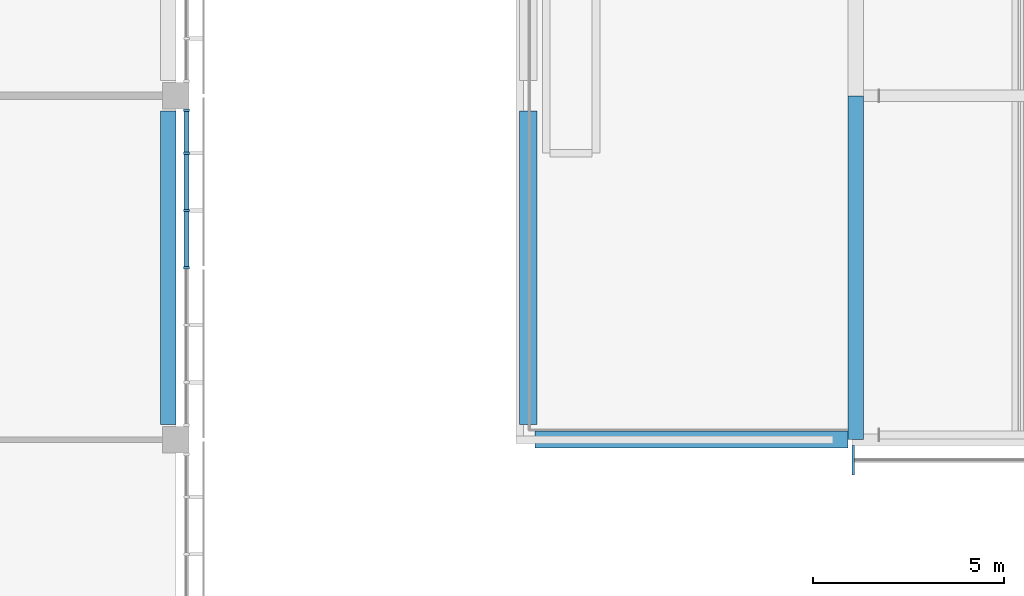
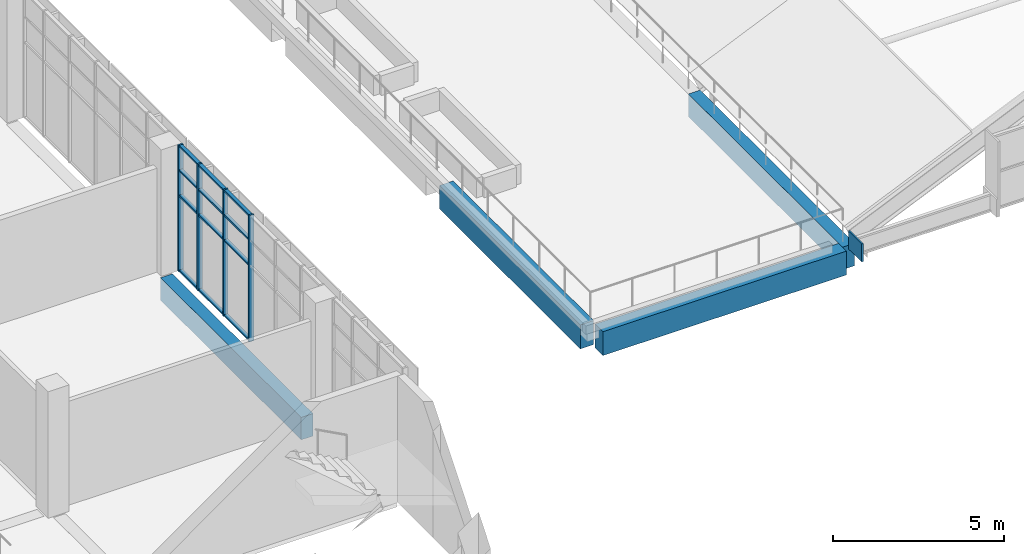
# One storey, part 12 of 106: 17 members, 4 beams, 2 elements without a shape of their own.
"""IFC4 building model written with IfcOpenShell, lengths in metres."""

from ifc_helpers import new_model, si_unit, direction, frame, origin, origin_2d, place, context, subcontext, project, spatial, rectangle, extrude, material, layer, layer_set, material_profile, profile_set, type_object, element, aggregate, save


model = new_model("IFC4")

# Units and contexts
model_context = context("Model", 3, precision=1e-05, world=origin(), true_north=direction((0.0, 1.0)))
body_context = subcontext(model_context, "Body", "Model", "MODEL_VIEW")
ifc_project = project(units=[si_unit("LENGTHUNIT", "METRE"), si_unit("AREAUNIT", "SQUARE_METRE"), si_unit("VOLUMEUNIT", "CUBIC_METRE"), si_unit("PLANEANGLEUNIT", "RADIAN"), si_unit("MASSUNIT", "GRAM", prefix="KILO")], contexts=[model_context])

# Site, building, storey
site_placement = place(None, origin())
site = spatial("IfcSite", under=ifc_project, at=site_placement, CompositionType="ELEMENT")
building_placement = place(site_placement, origin())
building = spatial("IfcBuilding", under=site, at=building_placement, Name="Guidao Yard Department Store", CompositionType="ELEMENT")
storey_placement = place(building_placement, frame((0.0, 0.0, 10.5)))
storey = spatial("IfcBuildingStorey", under=building, at=storey_placement, Name="L02", CompositionType="ELEMENT", Elevation=10.5)

# Beams
ifc_material_1 = material(Name="Concrete C40", Category="concrete")
ifc_material_profile_1 = material_profile(ifc_material_1, rectangle(XDim=0.449951171875, YDim=0.85009765625, at=origin_2d()), Name="Garden roof spandrel beam 450 x 850 C40")
ifc_profile_set_1 = profile_set([ifc_material_profile_1], Name="Concrete C40")
beam_type_1 = type_object("IfcBeamType", Name="Garden roof spandrel beam 450 x 850 C40", PredefinedType="SPANDREL", material=ifc_profile_set_1)
for number, where, z_axis, x_axis, name in (
    (1, (117.39990234375, 54.0, -0.425048828125), (1.0, 0.0, 0.0), (0.0, 1.0, 0.0), "Beam EB85"),
    (2, (117.22509765625, 54.39990234375, -0.425048828125), (0.0, 1.0, 0.0), (-1.0, 0.0, 0.0), "Beam EB86"),
):
    element("IfcBeam", number, at=place(storey_placement, frame(where, z_axis=z_axis, x_axis=x_axis)), inside=storey, type_object=beam_type_1, Name=name, PredefinedType="SPANDREL", context=body_context, shape_type="SweptSolid", body=[
        extrude(rectangle(XDim=0.449951171875, YDim=0.85009765625, at=origin_2d()), origin(), (0.0, 0.0, 1.0), 8.2001953125),
    ])

# Curtain wall, members
ifc_material_2 = material(Name="Aluminium and glass", Category="aluminium")
ifc_layer_1 = layer(ifc_material_2, 0.159912109375)
ifc_layer_set_1 = layer_set([ifc_layer_1], Name="Shopfront curtain wall CW1 1500 module")
curtain_wall_type_1 = type_object("IfcCurtainWallType", Name="Shopfront curtain wall CW1 1500 module", PredefinedType="NOTDEFINED", material=ifc_layer_set_1)
curtain_wall_1_placement = place(storey_placement, origin())
curtain_wall_1 = element("IfcCurtainWall", 3, at=curtain_wall_1_placement, inside=storey, type_object=curtain_wall_type_1, Name="Arcade shop front", PredefinedType="NOTDEFINED")
ifc_material_3 = material(Name="Aluminium 6063-T5", Category="aluminium")
ifc_material_profile_2 = material_profile(ifc_material_3, rectangle(XDim=0.06005859375, YDim=0.159912109375, at=origin_2d()), Name="Mullion M1 60 x 160 aluminium pressure plate")
ifc_profile_set_2 = profile_set([ifc_material_profile_2], Name="Aluminium 6063-T5")
member_type_1 = type_object("IfcMemberType", Name="Mullion M1 60 x 160 aluminium pressure plate", PredefinedType="MULLION", material=ifc_profile_set_2)
member_1_placement = place(storey_placement, frame((108.280029296875, 58.5, 0.0), z_axis=(0.0, 0.0, 1.0), x_axis=(0.0, -1.0, 0.0)))
member_1 = element("IfcMember", 4, at=member_1_placement, type_object=member_type_1, Name="CW-AS-L02-15 mullion 4", PredefinedType="MULLION", context=body_context, shape_type="SweptSolid", body=[
    extrude(rectangle(XDim=0.06005859375, YDim=0.159912109375, at=origin_2d()), origin(), (0.0, 0.0, 1.0), 4.5),
])
member_2_placement = place(storey_placement, frame((108.280029296875, 60.0, 0.0), z_axis=(0.0, 0.0, 1.0), x_axis=(0.0, -1.0, 0.0)))
member_2 = element("IfcMember", 5, at=member_2_placement, type_object=member_type_1, Name="CW-AS-L02-15 mullion 5", PredefinedType="MULLION", context=body_context, shape_type="SweptSolid", body=[
    extrude(rectangle(XDim=0.06005859375, YDim=0.159912109375, at=origin_2d()), origin(), (0.0, 0.0, 1.0), 4.5),
])
member_3_placement = place(storey_placement, frame((108.280029296875, 61.5, 0.0), z_axis=(0.0, 0.0, 1.0), x_axis=(0.0, -1.0, 0.0)))
member_3 = element("IfcMember", 6, at=member_3_placement, type_object=member_type_1, Name="CW-AS-L02-15 mullion 6", PredefinedType="MULLION", context=body_context, shape_type="SweptSolid", body=[
    extrude(rectangle(XDim=0.06005859375, YDim=0.159912109375, at=origin_2d()), origin(), (0.0, 0.0, 1.0), 4.5),
])
member_4_placement = place(storey_placement, frame((108.280029296875, 62.6201171875, 0.0), z_axis=(0.0, 0.0, 1.0), x_axis=(0.0, -1.0, 0.0)))
member_4 = element("IfcMember", 7, at=member_4_placement, type_object=member_type_1, Name="CW-AS-L02-15 mullion 7", PredefinedType="MULLION", context=body_context, shape_type="SweptSolid", body=[
    extrude(rectangle(XDim=0.06005859375, YDim=0.159912109375, at=origin_2d()), origin(), (0.0, 0.0, 1.0), 4.5),
])

# Curtain wall, member
ifc_material_4 = material(Name="Aluminium and glass", Category="aluminium")
ifc_layer_2 = layer(ifc_material_4, 0.159912109375)
ifc_layer_set_2 = layer_set([ifc_layer_2], Name="Gable glazing CW7 1500 module")
curtain_wall_type_2 = type_object("IfcCurtainWallType", Name="Gable glazing CW7 1500 module", PredefinedType="NOTDEFINED", material=ifc_layer_set_2)
curtain_wall_2_placement = place(storey_placement, origin())
curtain_wall_2 = element("IfcCurtainWall", 8, at=curtain_wall_2_placement, inside=storey, type_object=curtain_wall_type_2, Name="Gable glazing FS1", PredefinedType="NOTDEFINED")
ifc_material_5 = material(Name="Aluminium 6063-T5", Category="aluminium")
ifc_material_profile_3 = material_profile(ifc_material_5, rectangle(XDim=0.06005859375, YDim=0.780029296875, at=origin_2d()), Name="Mullion M3 60 x 780 aluminium pressure plate")
ifc_profile_set_3 = profile_set([ifc_material_profile_3], Name="Aluminium 6063-T5")
member_type_2 = type_object("IfcMemberType", Name="Mullion M3 60 x 780 aluminium pressure plate", PredefinedType="MULLION", material=ifc_profile_set_3)
member_5_placement = place(storey_placement, frame((125.7333984375, 53.4599609375, 0.0), z_axis=(0.0, 0.0, 1.0), x_axis=(-1.0, 0.0, 0.0)))
member_5 = element("IfcMember", 9, at=member_5_placement, type_object=member_type_2, Name="CW-TFS1 mullion 1", PredefinedType="MULLION", context=body_context, shape_type="SweptSolid", body=[
    extrude(rectangle(XDim=0.06005859375, YDim=0.780029296875, at=origin_2d()), origin(), (0.0, 0.0, 1.0), 0.640869140625),
])
aggregate(curtain_wall_2, [member_5])

# Beam
ifc_material_6 = material(Name="Concrete C40", Category="concrete")
ifc_material_profile_4 = material_profile(ifc_material_6, rectangle(XDim=0.39990234375, YDim=0.800048828125, at=origin_2d()), Name="Spandrel beam 400 x 800 C40")
ifc_profile_set_4 = profile_set([ifc_material_profile_4], Name="Concrete C40")
beam_type_2 = type_object("IfcBeamType", Name="Spandrel beam 400 x 800 C40", PredefinedType="SPANDREL", material=ifc_profile_set_4)
beam_1_placement = place(storey_placement, frame((107.800048828125, 54.39990234375, -0.39990234375), z_axis=(0.0, 1.0, 0.0), x_axis=(-1.0, 0.0, 0.0)))
element("IfcBeam", 10, at=beam_1_placement, inside=storey, type_object=beam_type_2, Name="Beam EB45", PredefinedType="SPANDREL", context=body_context, shape_type="SweptSolid", body=[
    extrude(rectangle(XDim=0.39990234375, YDim=0.800048828125, at=origin_2d()), origin(), (0.0, 0.0, 1.0), 8.2001953125),
])

# Member
ifc_material_7 = material(Name="Aluminium 6063-T5", Category="aluminium")
ifc_material_profile_5 = material_profile(ifc_material_7, rectangle(XDim=0.1201171875, YDim=0.06005859375, at=origin_2d()), Name="Transom T1 60 x 120 aluminium pressure plate")
ifc_profile_set_5 = profile_set([ifc_material_profile_5], Name="Aluminium 6063-T5")
member_type_3 = type_object("IfcMemberType", Name="Transom T1 60 x 120 aluminium pressure plate", PredefinedType="USERDEFINED", material=ifc_profile_set_5)
member_6_placement = place(storey_placement, frame((108.280029296875, 59.969970703125, 0.030029296875), z_axis=(0.0, -1.0, 0.0), x_axis=(1.0, 0.0, 0.0)))
member_6 = element("IfcMember", 11, at=member_6_placement, type_object=member_type_3, Name="CW-AS-L02-15 transom 4.1", ObjectType="TRANSOM", PredefinedType="USERDEFINED", context=body_context, shape_type="SweptSolid", body=[
    extrude(rectangle(XDim=0.1201171875, YDim=0.06005859375, at=origin_2d()), origin(), (0.0, 0.0, 1.0), 1.43994140625),
])

member_7_placement = place(storey_placement, frame((108.280029296875, 59.969970703125, 2.699951171875), z_axis=(0.0, -1.0, 0.0), x_axis=(1.0, 0.0, 0.0)))
member_7 = element("IfcMember", 12, at=member_7_placement, type_object=member_type_3, Name="CW-AS-L02-15 transom 4.2", ObjectType="TRANSOM", PredefinedType="USERDEFINED", context=body_context, shape_type="SweptSolid", body=[
    extrude(rectangle(XDim=0.1201171875, YDim=0.06005859375, at=origin_2d()), origin(), (0.0, 0.0, 1.0), 1.43994140625),
])

member_8_placement = place(storey_placement, frame((108.280029296875, 59.969970703125, 3.60009765625), z_axis=(0.0, -1.0, 0.0), x_axis=(1.0, 0.0, 0.0)))
member_8 = element("IfcMember", 13, at=member_8_placement, type_object=member_type_3, Name="CW-AS-L02-15 transom 4.3", ObjectType="TRANSOM", PredefinedType="USERDEFINED", context=body_context, shape_type="SweptSolid", body=[
    extrude(rectangle(XDim=0.1201171875, YDim=0.06005859375, at=origin_2d()), origin(), (0.0, 0.0, 1.0), 1.43994140625),
])

member_9_placement = place(storey_placement, frame((108.280029296875, 59.969970703125, 4.469970703125), z_axis=(0.0, -1.0, 0.0), x_axis=(1.0, 0.0, 0.0)))
member_9 = element("IfcMember", 14, at=member_9_placement, type_object=member_type_3, Name="CW-AS-L02-15 transom 4.4", ObjectType="TRANSOM", PredefinedType="USERDEFINED", context=body_context, shape_type="SweptSolid", body=[
    extrude(rectangle(XDim=0.1201171875, YDim=0.06005859375, at=origin_2d()), origin(), (0.0, 0.0, 1.0), 1.43994140625),
])

member_10_placement = place(storey_placement, frame((108.280029296875, 61.469970703125, 0.030029296875), z_axis=(0.0, -1.0, 0.0), x_axis=(1.0, 0.0, 0.0)))
member_10 = element("IfcMember", 15, at=member_10_placement, type_object=member_type_3, Name="CW-AS-L02-15 transom 5.1", ObjectType="TRANSOM", PredefinedType="USERDEFINED", context=body_context, shape_type="SweptSolid", body=[
    extrude(rectangle(XDim=0.1201171875, YDim=0.06005859375, at=origin_2d()), origin(), (0.0, 0.0, 1.0), 1.43994140625),
])

member_11_placement = place(storey_placement, frame((108.280029296875, 61.469970703125, 2.699951171875), z_axis=(0.0, -1.0, 0.0), x_axis=(1.0, 0.0, 0.0)))
member_11 = element("IfcMember", 16, at=member_11_placement, type_object=member_type_3, Name="CW-AS-L02-15 transom 5.2", ObjectType="TRANSOM", PredefinedType="USERDEFINED", context=body_context, shape_type="SweptSolid", body=[
    extrude(rectangle(XDim=0.1201171875, YDim=0.06005859375, at=origin_2d()), origin(), (0.0, 0.0, 1.0), 1.43994140625),
])

member_12_placement = place(storey_placement, frame((108.280029296875, 61.469970703125, 3.60009765625), z_axis=(0.0, -1.0, 0.0), x_axis=(1.0, 0.0, 0.0)))
member_12 = element("IfcMember", 17, at=member_12_placement, type_object=member_type_3, Name="CW-AS-L02-15 transom 5.3", ObjectType="TRANSOM", PredefinedType="USERDEFINED", context=body_context, shape_type="SweptSolid", body=[
    extrude(rectangle(XDim=0.1201171875, YDim=0.06005859375, at=origin_2d()), origin(), (0.0, 0.0, 1.0), 1.43994140625),
])

member_13_placement = place(storey_placement, frame((108.280029296875, 61.469970703125, 4.469970703125), z_axis=(0.0, -1.0, 0.0), x_axis=(1.0, 0.0, 0.0)))
member_13 = element("IfcMember", 18, at=member_13_placement, type_object=member_type_3, Name="CW-AS-L02-15 transom 5.4", ObjectType="TRANSOM", PredefinedType="USERDEFINED", context=body_context, shape_type="SweptSolid", body=[
    extrude(rectangle(XDim=0.1201171875, YDim=0.06005859375, at=origin_2d()), origin(), (0.0, 0.0, 1.0), 1.43994140625),
])

member_14_placement = place(storey_placement, frame((108.280029296875, 62.590087890625, 0.030029296875), z_axis=(0.0, -1.0, 0.0), x_axis=(1.0, 0.0, 0.0)))
member_14 = element("IfcMember", 19, at=member_14_placement, type_object=member_type_3, Name="CW-AS-L02-15 transom 6.1", ObjectType="TRANSOM", PredefinedType="USERDEFINED", context=body_context, shape_type="SweptSolid", body=[
    extrude(rectangle(XDim=0.1201171875, YDim=0.06005859375, at=origin_2d()), origin(), (0.0, 0.0, 1.0), 1.06005859375),
])

member_15_placement = place(storey_placement, frame((108.280029296875, 62.590087890625, 2.699951171875), z_axis=(0.0, -1.0, 0.0), x_axis=(1.0, 0.0, 0.0)))
member_15 = element("IfcMember", 20, at=member_15_placement, type_object=member_type_3, Name="CW-AS-L02-15 transom 6.2", ObjectType="TRANSOM", PredefinedType="USERDEFINED", context=body_context, shape_type="SweptSolid", body=[
    extrude(rectangle(XDim=0.1201171875, YDim=0.06005859375, at=origin_2d()), origin(), (0.0, 0.0, 1.0), 1.06005859375),
])

member_16_placement = place(storey_placement, frame((108.280029296875, 62.590087890625, 3.60009765625), z_axis=(0.0, -1.0, 0.0), x_axis=(1.0, 0.0, 0.0)))
member_16 = element("IfcMember", 21, at=member_16_placement, type_object=member_type_3, Name="CW-AS-L02-15 transom 6.3", ObjectType="TRANSOM", PredefinedType="USERDEFINED", context=body_context, shape_type="SweptSolid", body=[
    extrude(rectangle(XDim=0.1201171875, YDim=0.06005859375, at=origin_2d()), origin(), (0.0, 0.0, 1.0), 1.06005859375),
])

member_17_placement = place(storey_placement, frame((108.280029296875, 62.590087890625, 4.469970703125), z_axis=(0.0, -1.0, 0.0), x_axis=(1.0, 0.0, 0.0)))
member_17 = element("IfcMember", 22, at=member_17_placement, type_object=member_type_3, Name="CW-AS-L02-15 transom 6.4", ObjectType="TRANSOM", PredefinedType="USERDEFINED", context=body_context, shape_type="SweptSolid", body=[
    extrude(rectangle(XDim=0.1201171875, YDim=0.06005859375, at=origin_2d()), origin(), (0.0, 0.0, 1.0), 1.06005859375),
])

aggregate(curtain_wall_1, [member_1, member_2, member_3, member_4, member_6, member_7, member_8, member_9, member_10, member_11, member_12, member_13, member_14, member_15, member_16, member_17])

# Beam
ifc_material_8 = material(Name="Concrete C40", Category="concrete")
ifc_material_profile_6 = material_profile(ifc_material_8, rectangle(XDim=0.39990234375, YDim=0.800048828125, at=origin_2d()), Name="Vault bearing beam 400 x 800 C40")
ifc_profile_set_6 = profile_set([ifc_material_profile_6], Name="Concrete C40")
beam_type_3 = type_object("IfcBeamType", Name="Vault bearing beam 400 x 800 C40", PredefinedType="BEAM", material=ifc_profile_set_6)
beam_2_placement = place(storey_placement, frame((125.800048828125, 54.0, -0.39990234375), z_axis=(0.0, 1.0, 0.0), x_axis=(-1.0, 0.0, 0.0)))
element("IfcBeam", 23, at=beam_2_placement, inside=storey, type_object=beam_type_3, Name="Beam VB08", PredefinedType="BEAM", context=body_context, shape_type="SweptSolid", body=[
    extrude(rectangle(XDim=0.39990234375, YDim=0.800048828125, at=origin_2d()), origin(), (0.0, 0.0, 1.0), 9.0),
])

save(model, "model.ifc")
